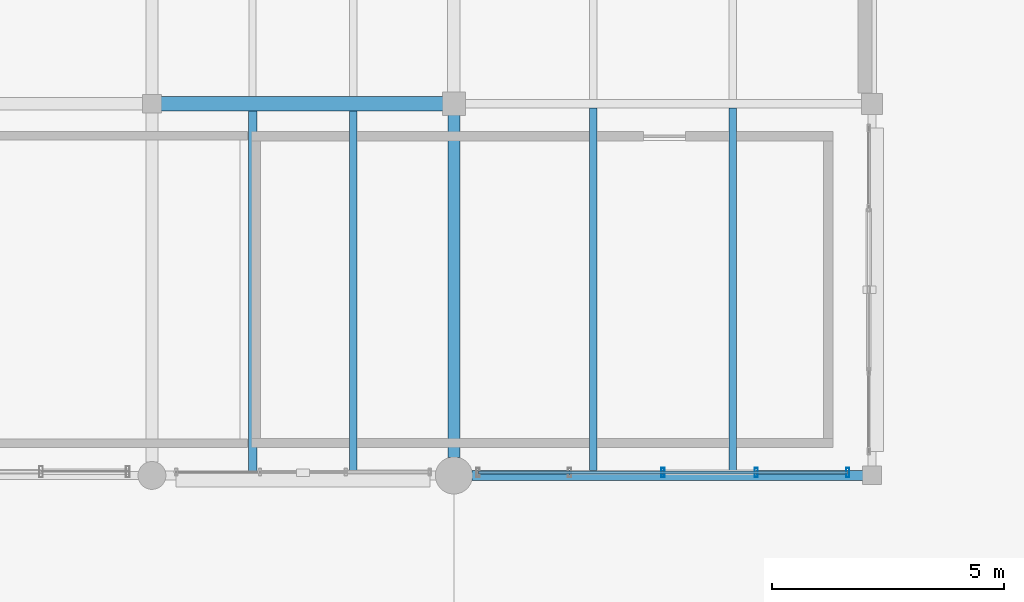
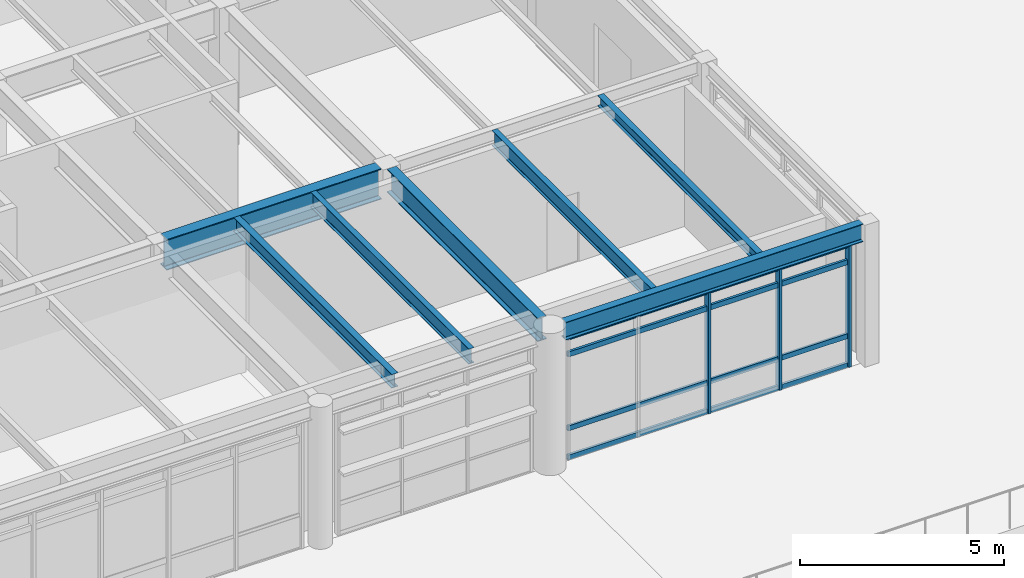
# One storey, part 76 of 168: 7 beams, 7 members, 1 element without a shape of its own.
"""IFC4 building model written with IfcOpenShell, lengths in metres."""

from ifc_helpers import new_model, si_unit, direction, frame, origin, origin_2d, place, context, subcontext, project, spatial, hollow_rectangle, i_section, extrude, material, material_profile, profile_set, type_object, element, aggregate, save


model = new_model("IFC4")

# Units and contexts
model_context = context("Model", 3, precision=1e-05, world=origin(), true_north=direction((0.0, 1.0)))
body_context = subcontext(model_context, "Body", "Model", "MODEL_VIEW")
ifc_project = project(units=[si_unit("LENGTHUNIT", "METRE"), si_unit("AREAUNIT", "SQUARE_METRE"), si_unit("VOLUMEUNIT", "CUBIC_METRE"), si_unit("PLANEANGLEUNIT", "RADIAN"), si_unit("MASSUNIT", "GRAM", prefix="KILO"), si_unit("THERMODYNAMICTEMPERATUREUNIT", "KELVIN"), si_unit("POWERUNIT", "WATT")], contexts=[model_context])

# Site, building, storey
site_placement = place(None, origin())
site = spatial("IfcSite", under=ifc_project, at=site_placement, CompositionType="ELEMENT")
building_placement = place(site_placement, origin())
building = spatial("IfcBuilding", under=site, at=building_placement, Name="Tepalcoro Natatorium and Aquatics Centre", CompositionType="ELEMENT")
storey_placement = place(building_placement, frame((0.0, 0.0, 10.199951171875)))
storey = spatial("IfcBuildingStorey", under=building, at=storey_placement, Name="L02", CompositionType="ELEMENT", Elevation=10.199951171875)

# Beams
ifc_material_1 = material(Name="Steel ASTM A992 Grade 50 (Fy 345 MPa)", Category="steel")
ifc_material_profile_1 = material_profile(ifc_material_1, i_section(OverallWidth=0.25390625, OverallDepth=0.700927734375, WebThickness=0.014892578125, FlangeThickness=0.028076171875, FilletRadius=0.013916015625, at=origin_2d()), Name="W27X129")
ifc_profile_set_1 = profile_set([ifc_material_profile_1], Name="Steel ASTM A992 Grade 50 (Fy 345 MPa)")
beam_type_1 = type_object("IfcBeamType", Name="BM_W27x129", PredefinedType="BEAM", material=ifc_profile_set_1)
beam_1_placement = place(storey_placement, frame((53.0, 94.385009765625, 3.884521484375), z_axis=(0.0, 1.0, 0.0), x_axis=(-1.0, 0.0, 0.0)))
element("IfcBeam", 1, at=beam_1_placement, inside=storey, type_object=beam_type_1, Name="V4 L02 Grid Girder Y", PredefinedType="BEAM", context=body_context, shape_type="SweptSolid", body=[
    extrude(i_section(OverallWidth=0.25390625, OverallDepth=0.700927734375, WebThickness=0.014892578125, FlangeThickness=0.028076171875, FilletRadius=0.013916015625, at=origin_2d()), origin(), (0.0, 0.0, 1.0), 7.3798828125),
])
ifc_material_profile_2 = material_profile(ifc_material_1, i_section(OverallWidth=0.304931640625, OverallDepth=0.9189453125, WebThickness=0.01708984375, FlangeThickness=0.028076171875, FilletRadius=0.013916015625, at=origin_2d()), Name="W36X170")
ifc_profile_set_2 = profile_set([ifc_material_profile_2], Name="Steel ASTM A992 Grade 50 (Fy 345 MPa)")
beam_type_2 = type_object("IfcBeamType", Name="BM_W36x170", PredefinedType="BEAM", material=ifc_profile_set_2)
beam_2_placement = place(storey_placement, frame((46.68505859375, 102.0, 3.775634765625), z_axis=(1.0, 0.0, 0.0), x_axis=(0.0, 1.0, 0.0)))
element("IfcBeam", 2, at=beam_2_placement, inside=storey, type_object=beam_type_2, Name="V4 L02 Grid Girder X", PredefinedType="BEAM", context=body_context, shape_type="SweptSolid", body=[
    extrude(i_section(OverallWidth=0.304931640625, OverallDepth=0.9189453125, WebThickness=0.01708984375, FlangeThickness=0.028076171875, FilletRadius=0.013916015625, at=origin_2d()), origin(), (0.0, 0.0, 1.0), 6.079833984375),
])

# Curtain wall, members
ifc_material_2 = material(Name="Bronze-Anodised Extruded Aluminium Alloy EN AW-6063 T6", Category="aluminium")
curtain_wall_type = type_object("IfcCurtainWallType", Name="CW_LEAN_T1_NS", PredefinedType="USERDEFINED", material=ifc_material_2)
curtain_wall_placement = place(storey_placement, origin())
curtain_wall = element("IfcCurtainWall", 3, at=curtain_wall_placement, inside=storey, type_object=curtain_wall_type, Name="V4 L02 S Unitised Curtain Wall Bay 6", ObjectType="FACETED SOLAR GLAZING", PredefinedType="USERDEFINED")
ifc_material_profile_3 = material_profile(ifc_material_2, hollow_rectangle(XDim=0.070068359375, YDim=0.199951171875, WallThickness=0.0048828125, at=origin_2d()), Name="AL70X200X5")
ifc_profile_set_3 = profile_set([ifc_material_profile_3], Name="Bronze-Anodised Extruded Aluminium Alloy EN AW-6063 T6")
member_type_1 = type_object("IfcMemberType", Name="CW_MUL_70x200", PredefinedType="MULLION", material=ifc_profile_set_3)
member_1_placement = place(storey_placement, frame((57.5, 94.06494140625, 0.02001953125), z_axis=(0.0, 0.0, 1.0), x_axis=(1.0, 0.0, 0.0)))
member_1 = element("IfcMember", 4, at=member_1_placement, type_object=member_type_1, Name="CW_LEAN_T1_NS Curtain Wall Mullion", PredefinedType="MULLION", context=body_context, shape_type="SweptSolid", body=[
    extrude(hollow_rectangle(XDim=0.070068359375, YDim=0.199951171875, WallThickness=0.0048828125, at=origin_2d()), origin(), (0.0, 0.0, 1.0), 3.64404296875),
])
member_2_placement = place(storey_placement, frame((59.510009765625, 94.06494140625, 0.02001953125), z_axis=(0.0, 0.0, 1.0), x_axis=(1.0, 0.0, 0.0)))
member_2 = element("IfcMember", 5, at=member_2_placement, type_object=member_type_1, Name="CW_LEAN_T1_NS Curtain Wall Mullion", PredefinedType="MULLION", context=body_context, shape_type="SweptSolid", body=[
    extrude(hollow_rectangle(XDim=0.070068359375, YDim=0.199951171875, WallThickness=0.0048828125, at=origin_2d()), origin(), (0.0, 0.0, 1.0), 3.64404296875),
])
member_3_placement = place(storey_placement, frame((61.47998046875, 94.06494140625, 0.02001953125), z_axis=(0.0, 0.0, 1.0), x_axis=(1.0, 0.0, 0.0)))
member_3 = element("IfcMember", 6, at=member_3_placement, type_object=member_type_1, Name="CW_LEAN_T1_NS Curtain Wall Mullion", PredefinedType="MULLION", context=body_context, shape_type="SweptSolid", body=[
    extrude(hollow_rectangle(XDim=0.070068359375, YDim=0.199951171875, WallThickness=0.0048828125, at=origin_2d()), origin(), (0.0, 0.0, 1.0), 3.64404296875),
])
ifc_material_profile_4 = material_profile(ifc_material_2, hollow_rectangle(XDim=0.070068359375, YDim=0.14990234375, WallThickness=0.00390625, at=origin_2d()), Name="AL70X150X4")
ifc_profile_set_4 = profile_set([ifc_material_profile_4], Name="Bronze-Anodised Extruded Aluminium Alloy EN AW-6063 T6")
member_type_2 = type_object("IfcMemberType", Name="CW_TRN_70x150", PredefinedType="USERDEFINED", material=ifc_profile_set_4)
member_4_placement = place(storey_placement, frame((53.530029296875, 94.06494140625, 0.050048828125), z_axis=(1.0, 0.0, 0.0), x_axis=(0.0, 1.0, 0.0)))
member_4 = element("IfcMember", 7, at=member_4_placement, type_object=member_type_2, Name="CW_LEAN_T1_NS Curtain Wall Transom", ObjectType="TRANSOM", PredefinedType="USERDEFINED", context=body_context, shape_type="SweptSolid", body=[
    extrude(hollow_rectangle(XDim=0.070068359375, YDim=0.14990234375, WallThickness=0.00390625, at=origin_2d()), origin(), (0.0, 0.0, 1.0), 7.93994140625),
])
member_5_placement = place(storey_placement, frame((53.530029296875, 94.06494140625, 0.921142578125), z_axis=(1.0, 0.0, 0.0), x_axis=(0.0, 1.0, 0.0)))
member_5 = element("IfcMember", 8, at=member_5_placement, type_object=member_type_2, Name="CW_LEAN_T1_NS Curtain Wall Transom", ObjectType="TRANSOM", PredefinedType="USERDEFINED", context=body_context, shape_type="SweptSolid", body=[
    extrude(hollow_rectangle(XDim=0.070068359375, YDim=0.14990234375, WallThickness=0.00390625, at=origin_2d()), origin(), (0.0, 0.0, 1.0), 7.93994140625),
])
member_6_placement = place(storey_placement, frame((53.530029296875, 94.06494140625, 3.134033203125), z_axis=(1.0, 0.0, 0.0), x_axis=(0.0, 1.0, 0.0)))
member_6 = element("IfcMember", 9, at=member_6_placement, type_object=member_type_2, Name="CW_LEAN_T1_NS Curtain Wall Transom", ObjectType="TRANSOM", PredefinedType="USERDEFINED", context=body_context, shape_type="SweptSolid", body=[
    extrude(hollow_rectangle(XDim=0.070068359375, YDim=0.14990234375, WallThickness=0.00390625, at=origin_2d()), origin(), (0.0, 0.0, 1.0), 7.93994140625),
])
member_7_placement = place(storey_placement, frame((53.530029296875, 94.06494140625, 3.634033203125), z_axis=(1.0, 0.0, 0.0), x_axis=(0.0, 1.0, 0.0)))
member_7 = element("IfcMember", 10, at=member_7_placement, type_object=member_type_2, Name="CW_LEAN_T1_NS Curtain Wall Transom", ObjectType="TRANSOM", PredefinedType="USERDEFINED", context=body_context, shape_type="SweptSolid", body=[
    extrude(hollow_rectangle(XDim=0.070068359375, YDim=0.14990234375, WallThickness=0.00390625, at=origin_2d()), origin(), (0.0, 0.0, 1.0), 7.93994140625),
])
aggregate(curtain_wall, [member_1, member_2, member_3, member_4, member_5, member_6, member_7])

# Beams
ifc_material_profile_5 = material_profile(ifc_material_1, i_section(OverallWidth=0.1650390625, OverallDepth=0.31005859375, WebThickness=0.006103515625, FlangeThickness=0.010009765625, FilletRadius=0.013916015625, at=origin_2d()), Name="W12X26")
ifc_profile_set_5 = profile_set([ifc_material_profile_5], Name="Steel ASTM A992 Grade 50 (Fy 345 MPa)")
beam_type_3 = type_object("IfcBeamType", Name="JS_W12x26", PredefinedType="JOIST", material=ifc_profile_set_5)
beam_3_placement = place(storey_placement, frame((59.0, 94.10498046875, 4.080078125), z_axis=(0.0, 1.0, 0.0), x_axis=(-1.0, 0.0, 0.0)))
element("IfcBeam", 11, at=beam_3_placement, inside=storey, type_object=beam_type_3, Name="V4 L02 Floor Joist", PredefinedType="JOIST", context=body_context, shape_type="SweptSolid", body=[
    extrude(i_section(OverallWidth=0.1650390625, OverallDepth=0.31005859375, WebThickness=0.006103515625, FlangeThickness=0.010009765625, FilletRadius=0.013916015625, at=origin_2d()), origin(), (0.0, 0.0, 1.0), 7.805908203125),
])
ifc_material_profile_6 = material_profile(ifc_material_1, i_section(OverallWidth=0.178955078125, OverallDepth=0.409912109375, WebThickness=0.009033203125, FlangeThickness=0.013916015625, FilletRadius=0.013916015625, at=origin_2d()), Name="W16X45")
ifc_profile_set_6 = profile_set([ifc_material_profile_6], Name="Steel ASTM A992 Grade 50 (Fy 345 MPa)")
beam_type_4 = type_object("IfcBeamType", Name="JS_W16x45", PredefinedType="JOIST", material=ifc_profile_set_6)
beam_4_placement = place(storey_placement, frame((48.666748046875, 94.095458984375, 4.030029296875), z_axis=(0.0, 1.0, 0.0), x_axis=(-1.0, 0.0, 0.0)))
element("IfcBeam", 12, at=beam_4_placement, inside=storey, type_object=beam_type_4, Name="V4 L02 Floor Joist", PredefinedType="JOIST", context=body_context, shape_type="SweptSolid", body=[
    extrude(i_section(OverallWidth=0.178955078125, OverallDepth=0.409912109375, WebThickness=0.009033203125, FlangeThickness=0.013916015625, FilletRadius=0.013916015625, at=origin_2d()), origin(), (0.0, 0.0, 1.0), 7.751953125),
])
ifc_material_profile_7 = material_profile(ifc_material_1, i_section(OverallWidth=0.153076171875, OverallDepth=0.455078125, WebThickness=0.008056640625, FlangeThickness=0.012939453125, FilletRadius=0.013916015625, at=origin_2d()), Name="W18X40")
ifc_profile_set_7 = profile_set([ifc_material_profile_7], Name="Steel ASTM A992 Grade 50 (Fy 345 MPa)")
beam_type_5 = type_object("IfcBeamType", Name="JS_W18x40", PredefinedType="JOIST", material=ifc_profile_set_7)
beam_5_placement = place(storey_placement, frame((50.833251953125, 94.095458984375, 4.007568359375), z_axis=(0.0, 1.0, 0.0), x_axis=(-1.0, 0.0, 0.0)))
element("IfcBeam", 13, at=beam_5_placement, inside=storey, type_object=beam_type_5, Name="V4 L02 Floor Joist", PredefinedType="JOIST", context=body_context, shape_type="SweptSolid", body=[
    extrude(i_section(OverallWidth=0.153076171875, OverallDepth=0.455078125, WebThickness=0.008056640625, FlangeThickness=0.012939453125, FilletRadius=0.013916015625, at=origin_2d()), origin(), (0.0, 0.0, 1.0), 7.751953125),
])
beam_6_placement = place(storey_placement, frame((56.0, 94.10498046875, 4.007568359375), z_axis=(0.0, 1.0, 0.0), x_axis=(-1.0, 0.0, 0.0)))
element("IfcBeam", 14, at=beam_6_placement, inside=storey, type_object=beam_type_5, Name="V4 L02 Floor Joist", PredefinedType="JOIST", context=body_context, shape_type="SweptSolid", body=[
    extrude(i_section(OverallWidth=0.153076171875, OverallDepth=0.455078125, WebThickness=0.008056640625, FlangeThickness=0.012939453125, FilletRadius=0.013916015625, at=origin_2d()), origin(), (0.0, 0.0, 1.0), 7.805908203125),
])
ifc_material_profile_8 = material_profile(ifc_material_1, i_section(OverallWidth=0.2099609375, OverallDepth=0.535888671875, WebThickness=0.010986328125, FlangeThickness=0.01708984375, FilletRadius=0.013916015625, at=origin_2d()), Name="W21X68")
ifc_profile_set_8 = profile_set([ifc_material_profile_8], Name="Steel ASTM A992 Grade 50 (Fy 345 MPa)")
beam_type_6 = type_object("IfcBeamType", Name="SP_W21x68", PredefinedType="SPANDREL", material=ifc_profile_set_8)
beam_7_placement = place(storey_placement, frame((53.385009765625, 94.0, 3.967041015625), z_axis=(1.0, 0.0, 0.0), x_axis=(0.0, 1.0, 0.0)))
element("IfcBeam", 15, at=beam_7_placement, inside=storey, type_object=beam_type_6, Name="V4 L02 Grid Girder X", PredefinedType="SPANDREL", context=body_context, shape_type="SweptSolid", body=[
    extrude(i_section(OverallWidth=0.2099609375, OverallDepth=0.535888671875, WebThickness=0.010986328125, FlangeThickness=0.01708984375, FilletRadius=0.013916015625, at=origin_2d()), origin(), (0.0, 0.0, 1.0), 8.429931640625),
])

save(model, "model.ifc")
